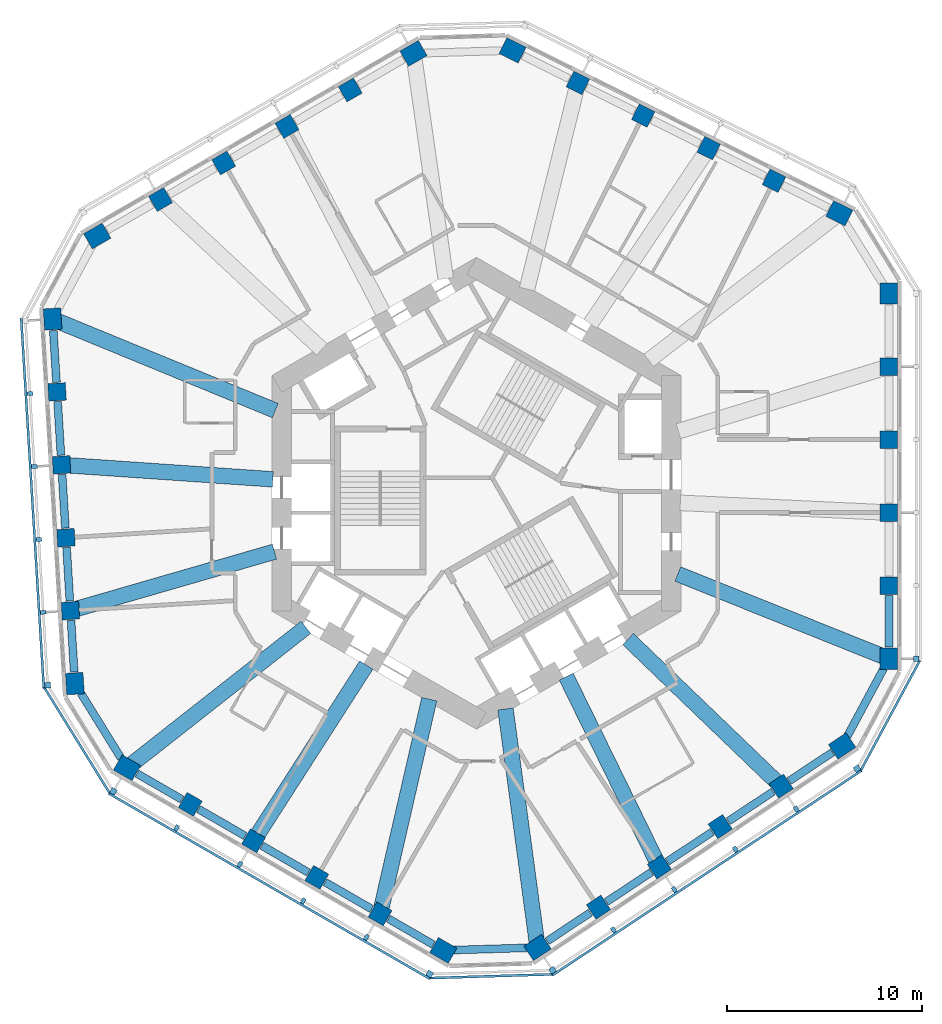
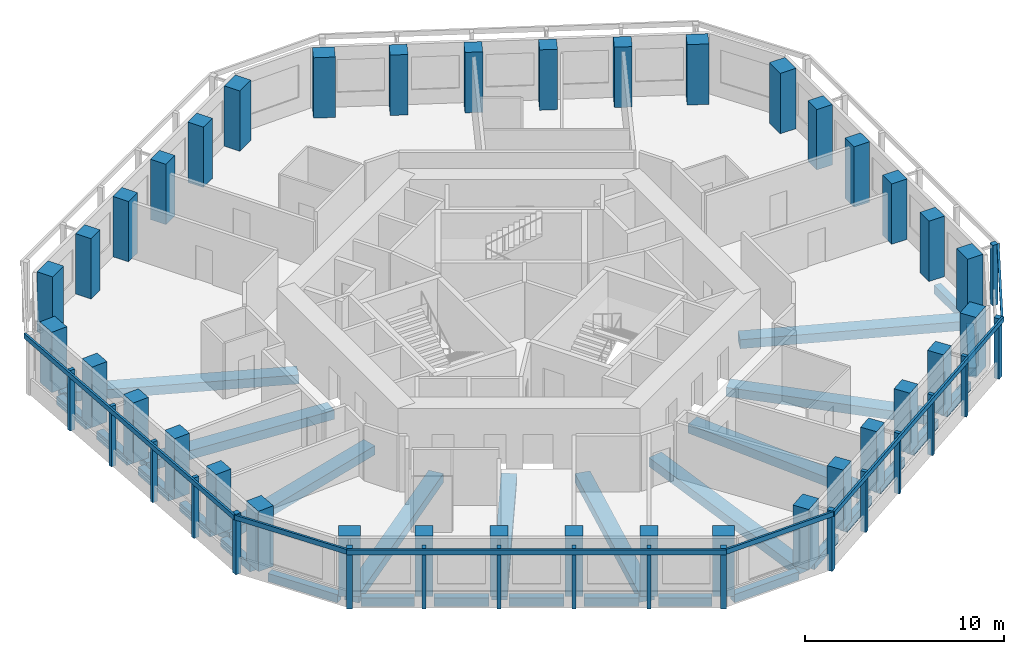
# One storey, part 1 of 11: 36 columns, 29 beams, 24 members, 7 elements without a shape of their own.
"""IFC4 building model written with IfcOpenShell, lengths in metres."""

import ifcopenshell
import ifcopenshell.guid

model = None  # the IFC model being written
_history = None  # IfcOwnerHistory: only IFC2X3 demands one
_inside = {}  # id of a spatial element -> (the spatial element, [elements in it])
_under = {}  # id of a project, library or spatial element -> (it, [spatial elements below it])
_declared = {}  # id of a project -> (the project, [libraries it declares])
_typed = {}  # id of a type object -> (the type object, [elements of that type])
_made_of = {}  # id of a material, layer set ... -> (it, [elements and type objects made of it])


def new_model(schema):
    """Start an empty IFC model of exactly this schema.

    Asked for "IFC4X3", IfcOpenShell would pick the latest addendum, in which some entities
    have other attributes; the version numbers below select the first issue.
    IFC2X3 requires an IfcOwnerHistory on every rooted entity: one is made here for all.
    """
    global model, _history
    if schema == "IFC4X3":
        model = ifcopenshell.file(schema_version=(4, 3, 0, 0))
    else:
        model = ifcopenshell.file(schema=schema)
    _inside.clear()
    _under.clear()
    _declared.clear()
    _typed.clear()
    _made_of.clear()
    _history = None
    if model.schema == "IFC2X3":
        org = make("IfcOrganization", Name="unknown")
        user = make(
            "IfcPersonAndOrganization",
            ThePerson=make("IfcPerson", FamilyName="unknown"),
            TheOrganization=org,
        )
        app = make(
            "IfcApplication",
            ApplicationDeveloper=org,
            Version="unknown",
            ApplicationFullName="unknown",
            ApplicationIdentifier="unknown",
        )
        _history = make(
            "IfcOwnerHistory",
            OwningUser=user,
            OwningApplication=app,
            ChangeAction="ADDED",
            CreationDate=0,
        )
    return model


def make(cls, **values):
    """One entity of the class cls with the attributes given. An attribute that is None is left unset."""
    return model.create_entity(
        cls, **{name: value for name, value in values.items() if value is not None}
    )


def rooted(cls, **values):
    """An entity with a GlobalId (a new one), such as an element, a storey or a relation."""
    return make(cls, GlobalId=ifcopenshell.guid.new(), OwnerHistory=_history, **values)


def si_unit(unit_type, name, prefix=None):
    """IfcSIUnit, for example si_unit("LENGTHUNIT", "METRE", prefix="MILLI")."""
    return make("IfcSIUnit", UnitType=unit_type, Prefix=prefix, Name=name)


def assignment(units):
    """IfcUnitAssignment: the units of a project."""
    return None if units is None else make("IfcUnitAssignment", Units=units)


def point(xyz):
    """IfcCartesianPoint."""
    return None if xyz is None else make("IfcCartesianPoint", Coordinates=xyz)


def direction(xyz):
    """IfcDirection."""
    return None if xyz is None else make("IfcDirection", DirectionRatios=xyz)


def frame(location, z_axis=None, x_axis=None):
    """IfcAxis2Placement3D, a coordinate frame: its origin and axes. An axis left out is left unset."""
    return make(
        "IfcAxis2Placement3D",
        Location=point(location),
        Axis=direction(z_axis),
        RefDirection=direction(x_axis),
    )


def frame_2d(location, x_axis=None):
    """IfcAxis2Placement2D, a coordinate frame in the plane: its origin and x axis."""
    return make(
        "IfcAxis2Placement2D", Location=point(location), RefDirection=direction(x_axis)
    )


def origin():
    """The frame at (0, 0, 0) with its axes left unset."""
    return frame((0.0, 0.0, 0.0))


def origin_2d():
    """The frame at (0, 0) in the plane with its x axis left unset."""
    return frame_2d((0.0, 0.0))


def place(relative_to, where):
    """IfcLocalPlacement: puts the frame where relative to a parent placement (None: the world)."""
    return make(
        "IfcLocalPlacement", PlacementRelTo=relative_to, RelativePlacement=where
    )


def context(
    kind, dimensions, precision=None, world=None, true_north=None, identifier=None
):
    """IfcGeometricRepresentationContext, for example the 3D "Model" context."""
    return make(
        "IfcGeometricRepresentationContext",
        ContextIdentifier=identifier,
        ContextType=kind,
        CoordinateSpaceDimension=dimensions,
        Precision=precision,
        WorldCoordinateSystem=world,
        TrueNorth=true_north,
    )


def subcontext(parent, identifier, kind, view, scale=None):
    """IfcGeometricRepresentationSubContext, for example "Body" below "Model"."""
    return make(
        "IfcGeometricRepresentationSubContext",
        ContextIdentifier=identifier,
        ContextType=kind,
        ParentContext=parent,
        TargetScale=scale,
        TargetView=view,
    )


def project(units=None, contexts=None):
    """IfcProject with its units and contexts."""
    return rooted(
        "IfcProject",
        Name="project",
        RepresentationContexts=contexts,
        UnitsInContext=assignment(units),
    )


def spatial(cls, under=None, at=None, **own):
    """A site, building, storey or space (cls), placed at a placement, below another one or the project."""
    s = rooted(cls, ObjectPlacement=at, **own)
    if under is not None:
        _under.setdefault(under.id(), (under, []))[1].append(s)
    return s


def profile(cls, at=None, kind="AREA", **sizes):
    """A parametric profile (cls). Its sizes go by their IFC names, for example OverallWidth=200.0."""
    return make(cls, ProfileType=kind, Position=at, **sizes)


def rectangle(**sizes):
    """IfcRectangleProfileDef."""
    return profile("IfcRectangleProfileDef", **sizes)


def extrude(swept, where, along, depth):
    """IfcExtrudedAreaSolid: the profile swept, set in the frame where, extruded along a direction by depth."""
    return make(
        "IfcExtrudedAreaSolid",
        SweptArea=swept,
        Position=where,
        ExtrudedDirection=direction(along),
        Depth=depth,
    )


def shape(context_of_items, identifier, shape_type, items):
    """IfcShapeRepresentation: the items that make up one representation, for example the "Body"."""
    return make(
        "IfcShapeRepresentation",
        ContextOfItems=context_of_items,
        RepresentationIdentifier=identifier,
        RepresentationType=shape_type,
        Items=items,
    )


def material(Name=None, Category=None):
    """IfcMaterial."""
    return make("IfcMaterial", Name=Name, Category=Category)


def material_profile(
    of_material, cross_section, Name=None, Category=None, Priority=None
):
    """IfcMaterialProfile: a cross section and its material."""
    return make(
        "IfcMaterialProfile",
        Name=Name,
        Material=of_material,
        Profile=cross_section,
        Priority=Priority,
        Category=Category,
    )


def profile_set(profiles, Name=None, composite=None):
    """IfcMaterialProfileSet."""
    return make(
        "IfcMaterialProfileSet",
        Name=Name,
        MaterialProfiles=profiles,
        CompositeProfile=composite,
    )


def made_of(thing, what):
    """Note that an element or type object is made of a material, layer set ...; save() writes the relation."""
    if what is not None:
        _made_of.setdefault(what.id(), (what, []))[1].append(thing)
    return thing


def type_object(cls, material=None, **own):
    """A type object (cls), such as IfcWallType, which elements share."""
    return made_of(rooted(cls, **own), material)


def element(
    cls,
    number,
    at=None,
    inside=None,
    cuts=None,
    type_object=None,
    material=None,
    context=None,
    identifier="Body",
    shape_type=None,
    held_by="IfcProductDefinitionShape",
    body=None,
    shapes=None,
    **own,
):
    """One element of the class cls, such as IfcWall. Its Tag is "e" and its number.

    at: its placement. inside: the storey or other place that contains it. cuts: it is an
    opening in that element (IfcRelVoidsElement). A single representation is given by context,
    identifier, shape_type and body (its items); several are given by shapes. held_by: the class
    of the entity that holds the representations. save() writes the other relations.
    """
    e = rooted(cls, Tag="e%d" % number, ObjectPlacement=at, **own)
    if body is not None:
        shapes = [shape(context, identifier, shape_type, body)]
    if shapes is not None:
        e.Representation = make(held_by, Representations=shapes)
    if inside is not None:
        _inside.setdefault(inside.id(), (inside, []))[1].append(e)
    if cuts is not None:
        rooted(
            "IfcRelVoidsElement", RelatingBuildingElement=cuts, RelatedOpeningElement=e
        )
    if type_object is not None:
        _typed.setdefault(type_object.id(), (type_object, []))[1].append(e)
    return made_of(e, material)


def aggregate(whole, parts):
    """IfcRelAggregates: a whole, such as a stair, and the parts it consists of."""
    return rooted("IfcRelAggregates", RelatingObject=whole, RelatedObjects=parts)


def save(model, path):
    """Write the relations noted so far, then the file.

    IfcRelAggregates (storeys below a building ...), IfcRelContainedInSpatialStructure (elements
    in a storey), IfcRelDefinesByType, IfcRelAssociatesMaterial and IfcRelDeclares: one each for
    every whole, place, type object, material and project.
    """
    for whole, parts in _under.values():
        aggregate(whole, parts)
    for where, things in _inside.values():
        rooted(
            "IfcRelContainedInSpatialStructure",
            RelatedElements=things,
            RelatingStructure=where,
        )
    for kind, things in _typed.values():
        rooted("IfcRelDefinesByType", RelatedObjects=things, RelatingType=kind)
    for what, things in _made_of.values():
        rooted("IfcRelAssociatesMaterial", RelatedObjects=things, RelatingMaterial=what)
    for by, libraries in _declared.values():
        rooted("IfcRelDeclares", RelatingContext=by, RelatedDefinitions=libraries)
    model.write(path)


model = new_model("IFC4")

# Units and contexts
model_context = context("Model", 3, precision=1e-05, world=origin(), true_north=direction((0.0, 1.0)))
body_context = subcontext(model_context, "Body", "Model", "MODEL_VIEW")
ifc_project = project(units=[si_unit("LENGTHUNIT", "METRE"), si_unit("AREAUNIT", "SQUARE_METRE"), si_unit("VOLUMEUNIT", "CUBIC_METRE"), si_unit("PLANEANGLEUNIT", "RADIAN"), si_unit("MASSUNIT", "GRAM", prefix="KILO")], contexts=[model_context])

# Site, building, storey
site_placement = place(None, origin())
site = spatial("IfcSite", under=ifc_project, at=site_placement, CompositionType="ELEMENT")
building_placement = place(site_placement, origin())
building = spatial("IfcBuilding", under=site, at=building_placement, Name="Vanh Sen Convention Tower", CompositionType="ELEMENT")
storey_placement = place(building_placement, frame((0.0, 0.0, 179.89990234375)))
storey = spatial("IfcBuildingStorey", under=building, at=storey_placement, Name="L44", CompositionType="ELEMENT", Elevation=179.89990234375)

# Columns
ifc_material_1 = material(Name="Concrete C80/95", Category="concrete")
ifc_material_profile_1 = material_profile(ifc_material_1, rectangle(XDim=0.89990234375, YDim=0.89990234375, at=origin_2d()), Name="RC 900X900")
ifc_profile_set_1 = profile_set([ifc_material_profile_1], Name="Concrete C80/95")
column_type_1 = type_object("IfcColumnType", Name="Facade column 900 x 900 C80/95", PredefinedType="COLUMN", material=ifc_profile_set_1)
for number, where, z_axis, x_axis, name in (
    (1, (21.199951171875, -4.746826171875, 0.0), (0.0, 0.0, 1.0), (0.0, 1.0, 0.0), "Facade column 02 L44"),
    (2, (21.199951171875, -0.992919921875, 0.0), (0.0, 0.0, 1.0), (0.0, 1.0, 0.0), "Facade column 03 L44"),
    (3, (21.199951171875, 2.76123046875, 0.0), (0.0, 0.0, 1.0), (0.0, 1.0, 0.0), "Facade column 04 L44"),
    (4, (21.199951171875, 6.515380859375, 0.0), (0.0, 0.0, 1.0), (0.0, 1.0, 0.0), "Facade column 05 L44"),
    (5, (15.290283203125, 16.0654296875, 0.0), (0.0, 0.0, 1.0), (-0.894934361602, 0.44619781311, 0.0), "Facade column 08 L44"),
    (6, (11.9306640625, 17.740478515625, 0.0), (0.0, 0.0, 1.0), (-0.894934361602, 0.44619781311, 0.0), "Facade column 09 L44"),
    (7, (8.57080078125, 19.41552734375, 0.0), (0.0, 0.0, 1.0), (-0.894934361602, 0.44619781311, 0.0), "Facade column 10 L44"),
    (8, (5.211181640625, 21.0908203125, 0.0), (0.0, 0.0, 1.0), (-0.894934361602, 0.44619781311, 0.0), "Facade column 11 L44"),
    (9, (-6.489013671875, 20.733154296875, 0.0), (0.0, 0.0, 1.0), (-0.866025403784, -0.5, 0.0), "Facade column 14 L44"),
    (10, (-9.740234375, 18.856201171875, 0.0), (0.0, 0.0, 1.0), (-0.866025403784, -0.5, 0.0), "Facade column 15 L44"),
    (11, (-12.991455078125, 16.97900390625, 0.0), (0.0, 0.0, 1.0), (-0.866025403784, -0.5, 0.0), "Facade column 16 L44"),
    (12, (-16.242431640625, 15.10205078125, 0.0), (0.0, 0.0, 1.0), (-0.866025403784, -0.5, 0.0), "Facade column 17 L44"),
    (13, (-21.55810546875, 5.208984375, 0.0), (0.0, 0.0, 1.0), (0.061048539535, -0.998134798422, 0.0), "Facade column 20 L44"),
    (14, (-21.3291015625, 1.4619140625, 0.0), (0.0, 0.0, 1.0), (0.061048539535, -0.998134798422, 0.0), "Facade column 21 L44"),
    (15, (-21.099853515625, -2.28515625, 0.0), (0.0, 0.0, 1.0), (0.061048539535, -0.998134798422, 0.0), "Facade column 22 L44"),
    (16, (-20.87060546875, -6.0322265625, 0.0), (0.0, 0.0, 1.0), (0.061048539535, -0.998134798422, 0.0), "Facade column 23 L44"),
    (17, (-14.7109375, -15.986328125, 0.0), (0.0, 0.0, 1.0), (0.866025403784, -0.5, 0.0), "Facade column 26 L44"),
    (18, (-11.459716796875, -17.86328125, 0.0), (0.0, 0.0, 1.0), (0.866025403784, -0.5, 0.0), "Facade column 27 L44"),
    (19, (-8.20849609375, -19.740478515625, 0.0), (0.0, 0.0, 1.0), (0.866025403784, -0.5, 0.0), "Facade column 28 L44"),
    (20, (-4.95751953125, -21.617431640625, 0.0), (0.0, 0.0, 1.0), (0.866025403784, -0.5, 0.0), "Facade column 29 L44"),
    (21, (6.267822265625, -21.2744140625, 0.0), (0.0, 0.0, 1.0), (0.833885822067, 0.551936985312, 0.0), "Facade column 32 L44"),
    (22, (9.3984375, -19.202392578125, 0.0), (0.0, 0.0, 1.0), (0.833885822067, 0.551936985312, 0.0), "Facade column 33 L44"),
    (23, (12.52880859375, -17.13037109375, 0.0), (0.0, 0.0, 1.0), (0.833885822067, 0.551936985312, 0.0), "Facade column 34 L44"),
    (24, (15.659423828125, -15.058349609375, 0.0), (0.0, 0.0, 1.0), (0.833885822067, 0.551936985312, 0.0), "Facade column 35 L44"),
):
    element("IfcColumn", number, at=place(storey_placement, frame(where, z_axis=z_axis, x_axis=x_axis)), inside=storey, type_object=column_type_1, Name=name, PredefinedType="COLUMN", context=body_context, shape_type="SweptSolid", body=[
        extrude(rectangle(XDim=0.89990234375, YDim=0.89990234375, at=origin_2d()), origin(), (0.0, 0.0, 1.0), 3.7001953125),
    ])
ifc_material_profile_2 = material_profile(ifc_material_1, rectangle(XDim=1.10009765625, YDim=0.89990234375, at=origin_2d()), Name="RC 1100X900")
ifc_profile_set_2 = profile_set([ifc_material_profile_2], Name="Concrete C80/95")
column_type_2 = type_object("IfcColumnType", Name="Facade corner column 1100 x 900 C80/95", PredefinedType="COLUMN", material=ifc_profile_set_2)
for number, where, z_axis, x_axis, name in (
    (25, (21.199951171875, -8.5009765625, 0.0), (0.0, 0.0, 1.0), (0.0, 1.0, 0.0), "Facade column 01 L44"),
    (26, (21.199951171875, 10.26953125, 0.0), (0.0, 0.0, 1.0), (0.0, 1.0, 0.0), "Facade column 06 L44"),
    (27, (18.64990234375, 14.390380859375, 0.0), (0.0, 0.0, 1.0), (-0.894934361602, 0.44619781311, 0.0), "Facade column 07 L44"),
    (28, (1.8515625, 22.765625, 0.0), (0.0, 0.0, 1.0), (-0.894934361602, 0.44619781311, 0.0), "Facade column 12 L44"),
    (29, (-3.23779296875, 22.610107421875, 0.0), (0.0, 0.0, 1.0), (-0.866025403784, -0.5, 0.0), "Facade column 13 L44"),
    (30, (-19.49365234375, 13.22509765625, 0.0), (0.0, 0.0, 1.0), (-0.866025403784, -0.5, 0.0), "Facade column 18 L44"),
    (31, (-21.787353515625, 8.956298828125, 0.0), (0.0, 0.0, 1.0), (0.061048539535, -0.998134798422, 0.0), "Facade column 19 L44"),
    (32, (-20.6416015625, -9.779296875, 0.0), (0.0, 0.0, 1.0), (0.061048539535, -0.998134798422, 0.0), "Facade column 24 L44"),
    (33, (-17.962158203125, -14.109130859375, 0.0), (0.0, 0.0, 1.0), (0.866025403784, -0.5, 0.0), "Facade column 25 L44"),
    (34, (-1.706298828125, -23.494384765625, 0.0), (0.0, 0.0, 1.0), (0.866025403784, -0.5, 0.0), "Facade column 30 L44"),
    (35, (3.137451171875, -23.346435546875, 0.0), (0.0, 0.0, 1.0), (0.833885822067, 0.551936985312, 0.0), "Facade column 31 L44"),
    (36, (18.789794921875, -12.986328125, 0.0), (0.0, 0.0, 1.0), (0.833885822067, 0.551936985312, 0.0), "Facade column 36 L44"),
):
    element("IfcColumn", number, at=place(storey_placement, frame(where, z_axis=z_axis, x_axis=x_axis)), inside=storey, type_object=column_type_2, Name=name, PredefinedType="COLUMN", context=body_context, shape_type="SweptSolid", body=[
        extrude(rectangle(XDim=1.10009765625, YDim=0.89990234375, at=origin_2d()), origin(), (0.0, 0.0, 1.0), 3.7001953125),
    ])

# Curtain wall, member
ifc_material_2 = material(Name="Concrete C50/60", Category="concrete")
curtain_wall_type = type_object("IfcCurtainWallType", Name="Outer skin office zone", PredefinedType="NOTDEFINED", material=ifc_material_2)
curtain_wall_1_placement = place(storey_placement, origin())
curtain_wall_1 = element("IfcCurtainWall", 37, at=curtain_wall_1_placement, inside=storey, type_object=curtain_wall_type, Name="OUTER SKIN E L44", PredefinedType="NOTDEFINED")
ifc_material_profile_3 = material_profile(ifc_material_2, rectangle(XDim=0.300048828125, YDim=0.300048828125, at=origin_2d()), Name="Outer skin precast corner fin 300 x 300")
ifc_profile_set_3 = profile_set([ifc_material_profile_3], Name="Concrete C50/60")
member_type_1 = type_object("IfcMemberType", Name="Outer skin precast corner fin 300 x 300", PredefinedType="MULLION", material=ifc_profile_set_3)
member_1_placement = place(storey_placement, frame((22.60009765625, -8.5009765625, 0.0), z_axis=(0.0, 0.0, 1.0), x_axis=(0.0, 1.0, 0.0)))
member_1 = element("IfcMember", 38, at=member_1_placement, type_object=member_type_1, Name="OUTER SKIN CORNER FIN 1 E L44", PredefinedType="MULLION", context=body_context, shape_type="SweptSolid", body=[
    extrude(rectangle(XDim=0.300048828125, YDim=0.300048828125, at=origin_2d()), origin(), (0.0, 0.0, 1.0), 3.7001953125),
])
aggregate(curtain_wall_1, [member_1])

curtain_wall_2_placement = place(storey_placement, origin())
curtain_wall_2 = element("IfcCurtainWall", 39, at=curtain_wall_2_placement, inside=storey, type_object=curtain_wall_type, Name="OUTER SKIN W L44", PredefinedType="NOTDEFINED")
member_2_placement = place(storey_placement, frame((-22.038818359375, -9.864990234375, 0.0), z_axis=(0.0, 0.0, 1.0), x_axis=(0.061048539535, -0.998134798422, 0.0)))
member_2 = element("IfcMember", 40, at=member_2_placement, type_object=member_type_1, Name="OUTER SKIN CORNER FIN 6 W L44", PredefinedType="MULLION", context=body_context, shape_type="SweptSolid", body=[
    extrude(rectangle(XDim=0.300048828125, YDim=0.300048828125, at=origin_2d()), origin(), (0.0, 0.0, 1.0), 3.7001953125),
])

# Curtain wall, members
curtain_wall_3_placement = place(storey_placement, origin())
curtain_wall_3 = element("IfcCurtainWall", 41, at=curtain_wall_3_placement, inside=storey, type_object=curtain_wall_type, Name="OUTER SKIN SW L44", PredefinedType="NOTDEFINED")
member_3_placement = place(storey_placement, frame((-18.662109375, -15.321533203125, 0.0), z_axis=(0.0, 0.0, 1.0), x_axis=(0.866025403784, -0.5, 0.0)))
member_3 = element("IfcMember", 42, at=member_3_placement, type_object=member_type_1, Name="OUTER SKIN CORNER FIN 1 SW L44", PredefinedType="MULLION", context=body_context, shape_type="SweptSolid", body=[
    extrude(rectangle(XDim=0.300048828125, YDim=0.300048828125, at=origin_2d()), origin(), (0.0, 0.0, 1.0), 3.7001953125),
])
member_4_placement = place(storey_placement, frame((-2.40625, -24.706787109375, 0.0), z_axis=(0.0, 0.0, 1.0), x_axis=(0.866025403784, -0.5, 0.0)))
member_4 = element("IfcMember", 43, at=member_4_placement, type_object=member_type_1, Name="OUTER SKIN CORNER FIN 6 SW L44", PredefinedType="MULLION", context=body_context, shape_type="SweptSolid", body=[
    extrude(rectangle(XDim=0.300048828125, YDim=0.300048828125, at=origin_2d()), origin(), (0.0, 0.0, 1.0), 3.7001953125),
])

curtain_wall_4_placement = place(storey_placement, origin())
curtain_wall_4 = element("IfcCurtainWall", 44, at=curtain_wall_4_placement, inside=storey, type_object=curtain_wall_type, Name="OUTER SKIN SE L44", PredefinedType="NOTDEFINED")
member_5_placement = place(storey_placement, frame((3.91015625, -24.513916015625, 0.0), z_axis=(0.0, 0.0, 1.0), x_axis=(0.833885822067, 0.551936985312, 0.0)))
member_5 = element("IfcMember", 45, at=member_5_placement, type_object=member_type_1, Name="OUTER SKIN CORNER FIN 1 SE L44", PredefinedType="MULLION", context=body_context, shape_type="SweptSolid", body=[
    extrude(rectangle(XDim=0.300048828125, YDim=0.300048828125, at=origin_2d()), origin(), (0.0, 0.0, 1.0), 3.7001953125),
])
member_6_placement = place(storey_placement, frame((19.5625, -14.15380859375, 0.0), z_axis=(0.0, 0.0, 1.0), x_axis=(0.833885822067, 0.551936985312, 0.0)))
member_6 = element("IfcMember", 46, at=member_6_placement, type_object=member_type_1, Name="OUTER SKIN CORNER FIN 6 SE L44", PredefinedType="MULLION", context=body_context, shape_type="SweptSolid", body=[
    extrude(rectangle(XDim=0.300048828125, YDim=0.300048828125, at=origin_2d()), origin(), (0.0, 0.0, 1.0), 3.7001953125),
])

# Member
ifc_material_profile_4 = material_profile(ifc_material_2, rectangle(XDim=0.199951171875, YDim=0.300048828125, at=origin_2d()), Name="Outer skin precast fin 200 x 300")
ifc_profile_set_4 = profile_set([ifc_material_profile_4], Name="Concrete C50/60")
member_type_2 = type_object("IfcMemberType", Name="Outer skin precast fin 200 x 300", PredefinedType="MULLION", material=ifc_profile_set_4)
member_7_placement = place(storey_placement, frame((-22.95556640625, 5.12353515625, 0.0), z_axis=(0.0, 0.0, 1.0), x_axis=(0.061048539535, -0.998134798422, 0.0)))
member_7 = element("IfcMember", 47, at=member_7_placement, type_object=member_type_2, Name="OUTER SKIN fin 2 W L44", PredefinedType="MULLION", context=body_context, shape_type="SweptSolid", body=[
    extrude(rectangle(XDim=0.199951171875, YDim=0.300048828125, at=origin_2d()), origin(), (0.0, 0.0, 1.0), 3.7001953125),
])

member_8_placement = place(storey_placement, frame((-22.726318359375, 1.37646484375, 0.0), z_axis=(0.0, 0.0, 1.0), x_axis=(0.061048539535, -0.998134798422, 0.0)))
member_8 = element("IfcMember", 48, at=member_8_placement, type_object=member_type_2, Name="OUTER SKIN fin 3 W L44", PredefinedType="MULLION", context=body_context, shape_type="SweptSolid", body=[
    extrude(rectangle(XDim=0.199951171875, YDim=0.300048828125, at=origin_2d()), origin(), (0.0, 0.0, 1.0), 3.7001953125),
])

member_9_placement = place(storey_placement, frame((-22.497314453125, -2.37060546875, 0.0), z_axis=(0.0, 0.0, 1.0), x_axis=(0.061048539535, -0.998134798422, 0.0)))
member_9 = element("IfcMember", 49, at=member_9_placement, type_object=member_type_2, Name="OUTER SKIN fin 4 W L44", PredefinedType="MULLION", context=body_context, shape_type="SweptSolid", body=[
    extrude(rectangle(XDim=0.199951171875, YDim=0.300048828125, at=origin_2d()), origin(), (0.0, 0.0, 1.0), 3.7001953125),
])

member_10_placement = place(storey_placement, frame((-22.26806640625, -6.117919921875, 0.0), z_axis=(0.0, 0.0, 1.0), x_axis=(0.061048539535, -0.998134798422, 0.0)))
member_10 = element("IfcMember", 50, at=member_10_placement, type_object=member_type_2, Name="OUTER SKIN fin 5 W L44", PredefinedType="MULLION", context=body_context, shape_type="SweptSolid", body=[
    extrude(rectangle(XDim=0.199951171875, YDim=0.300048828125, at=origin_2d()), origin(), (0.0, 0.0, 1.0), 3.7001953125),
])

member_11_placement = place(storey_placement, frame((-15.410888671875, -17.19873046875, 0.0), z_axis=(0.0, 0.0, 1.0), x_axis=(0.866025403784, -0.5, 0.0)))
member_11 = element("IfcMember", 51, at=member_11_placement, type_object=member_type_2, Name="OUTER SKIN fin 2 SW L44", PredefinedType="MULLION", context=body_context, shape_type="SweptSolid", body=[
    extrude(rectangle(XDim=0.199951171875, YDim=0.300048828125, at=origin_2d()), origin(), (0.0, 0.0, 1.0), 3.7001953125),
])

member_12_placement = place(storey_placement, frame((-12.159912109375, -19.07568359375, 0.0), z_axis=(0.0, 0.0, 1.0), x_axis=(0.866025403784, -0.5, 0.0)))
member_12 = element("IfcMember", 52, at=member_12_placement, type_object=member_type_2, Name="OUTER SKIN fin 3 SW L44", PredefinedType="MULLION", context=body_context, shape_type="SweptSolid", body=[
    extrude(rectangle(XDim=0.199951171875, YDim=0.300048828125, at=origin_2d()), origin(), (0.0, 0.0, 1.0), 3.7001953125),
])

member_13_placement = place(storey_placement, frame((-8.90869140625, -20.952880859375, 0.0), z_axis=(0.0, 0.0, 1.0), x_axis=(0.866025403784, -0.5, 0.0)))
member_13 = element("IfcMember", 53, at=member_13_placement, type_object=member_type_2, Name="OUTER SKIN fin 4 SW L44", PredefinedType="MULLION", context=body_context, shape_type="SweptSolid", body=[
    extrude(rectangle(XDim=0.199951171875, YDim=0.300048828125, at=origin_2d()), origin(), (0.0, 0.0, 1.0), 3.7001953125),
])

member_14_placement = place(storey_placement, frame((-5.657470703125, -22.829833984375, 0.0), z_axis=(0.0, 0.0, 1.0), x_axis=(0.866025403784, -0.5, 0.0)))
member_14 = element("IfcMember", 54, at=member_14_placement, type_object=member_type_2, Name="OUTER SKIN fin 5 SW L44", PredefinedType="MULLION", context=body_context, shape_type="SweptSolid", body=[
    extrude(rectangle(XDim=0.199951171875, YDim=0.300048828125, at=origin_2d()), origin(), (0.0, 0.0, 1.0), 3.7001953125),
])

member_15_placement = place(storey_placement, frame((7.04052734375, -22.44189453125, 0.0), z_axis=(0.0, 0.0, 1.0), x_axis=(0.833885822067, 0.551936985312, 0.0)))
member_15 = element("IfcMember", 55, at=member_15_placement, type_object=member_type_2, Name="OUTER SKIN fin 2 SE L44", PredefinedType="MULLION", context=body_context, shape_type="SweptSolid", body=[
    extrude(rectangle(XDim=0.199951171875, YDim=0.300048828125, at=origin_2d()), origin(), (0.0, 0.0, 1.0), 3.7001953125),
])

member_16_placement = place(storey_placement, frame((10.171142578125, -20.369873046875, 0.0), z_axis=(0.0, 0.0, 1.0), x_axis=(0.833885822067, 0.551936985312, 0.0)))
member_16 = element("IfcMember", 56, at=member_16_placement, type_object=member_type_2, Name="OUTER SKIN fin 3 SE L44", PredefinedType="MULLION", context=body_context, shape_type="SweptSolid", body=[
    extrude(rectangle(XDim=0.199951171875, YDim=0.300048828125, at=origin_2d()), origin(), (0.0, 0.0, 1.0), 3.7001953125),
])

member_17_placement = place(storey_placement, frame((13.301513671875, -18.2978515625, 0.0), z_axis=(0.0, 0.0, 1.0), x_axis=(0.833885822067, 0.551936985312, 0.0)))
member_17 = element("IfcMember", 57, at=member_17_placement, type_object=member_type_2, Name="OUTER SKIN fin 4 SE L44", PredefinedType="MULLION", context=body_context, shape_type="SweptSolid", body=[
    extrude(rectangle(XDim=0.199951171875, YDim=0.300048828125, at=origin_2d()), origin(), (0.0, 0.0, 1.0), 3.7001953125),
])

member_18_placement = place(storey_placement, frame((16.43212890625, -16.225830078125, 0.0), z_axis=(0.0, 0.0, 1.0), x_axis=(0.833885822067, 0.551936985312, 0.0)))
member_18 = element("IfcMember", 58, at=member_18_placement, type_object=member_type_2, Name="OUTER SKIN fin 5 SE L44", PredefinedType="MULLION", context=body_context, shape_type="SweptSolid", body=[
    extrude(rectangle(XDim=0.199951171875, YDim=0.300048828125, at=origin_2d()), origin(), (0.0, 0.0, 1.0), 3.7001953125),
])

ifc_material_profile_5 = material_profile(ifc_material_2, rectangle(XDim=0.1201171875, YDim=0.300048828125, at=origin_2d()), Name="Outer skin precast spandrel band 300 x 120")
ifc_profile_set_5 = profile_set([ifc_material_profile_5], Name="Concrete C50/60")
member_type_3 = type_object("IfcMemberType", Name="Outer skin precast spandrel band 300 x 120", PredefinedType="USERDEFINED", material=ifc_profile_set_5)
member_19_placement = place(storey_placement, frame((-23.403564453125, 9.007568359375, 3.550048828125), z_axis=(0.061052799403, -0.998134537868, 0.0), x_axis=(0.998134537868, 0.061052799403, 0.0)))
member_19 = element("IfcMember", 59, at=member_19_placement, type_object=member_type_3, Name="OUTER SKIN spandrel band W L44", ObjectType="TRANSOM", PredefinedType="USERDEFINED", context=body_context, shape_type="SweptSolid", body=[
    extrude(rectangle(XDim=0.1201171875, YDim=0.300048828125, at=origin_2d()), origin(), (0.0, 0.0, 1.0), 19.070556640625),
])

aggregate(curtain_wall_2, [member_7, member_8, member_9, member_10, member_2, member_19])

# Curtain wall, member
curtain_wall_5_placement = place(storey_placement, origin())
curtain_wall_5 = element("IfcCurtainWall", 60, at=curtain_wall_5_placement, inside=storey, type_object=curtain_wall_type, Name="OUTER SKIN CH4 L44", PredefinedType="NOTDEFINED")
member_20_placement = place(storey_placement, frame((-22.217529296875, -9.975341796875, 3.550048828125), z_axis=(0.526207913146, -0.85035594438, 0.0), x_axis=(0.85035594438, 0.526207913146, 0.0)))
member_20 = element("IfcMember", 61, at=member_20_placement, type_object=member_type_3, Name="OUTER SKIN spandrel band CH4 L44", ObjectType="TRANSOM", PredefinedType="USERDEFINED", context=body_context, shape_type="SweptSolid", body=[
    extrude(rectangle(XDim=0.1201171875, YDim=0.300048828125, at=origin_2d()), origin(), (0.0, 0.0, 1.0), 6.4169921875),
])
aggregate(curtain_wall_5, [member_20])

# Member
member_21_placement = place(storey_placement, frame((-18.89697265625, -15.428466796875, 3.550048828125), z_axis=(0.866023136587, -0.500003926881, 0.0), x_axis=(0.500003926881, 0.866023136587, 0.0)))
member_21 = element("IfcMember", 62, at=member_21_placement, type_object=member_type_3, Name="OUTER SKIN spandrel band SW L44", ObjectType="TRANSOM", PredefinedType="USERDEFINED", context=body_context, shape_type="SweptSolid", body=[
    extrude(rectangle(XDim=0.1201171875, YDim=0.300048828125, at=origin_2d()), origin(), (0.0, 0.0, 1.0), 19.070556640625),
])

aggregate(curtain_wall_3, [member_3, member_11, member_12, member_13, member_14, member_4, member_21])

# Curtain wall, member
curtain_wall_6_placement = place(storey_placement, origin())
curtain_wall_6 = element("IfcCurtainWall", 63, at=curtain_wall_6_placement, inside=storey, type_object=curtain_wall_type, Name="OUTER SKIN CH5 L44", PredefinedType="NOTDEFINED")
member_22_placement = place(storey_placement, frame((-2.39990234375, -24.916748046875, 3.550048828125), z_axis=(0.99953413443, 0.030520716071, 0.0), x_axis=(-0.030520716071, 0.99953413443, 0.0)))
member_22 = element("IfcMember", 64, at=member_22_placement, type_object=member_type_3, Name="OUTER SKIN spandrel band CH5 L44", ObjectType="TRANSOM", PredefinedType="USERDEFINED", context=body_context, shape_type="SweptSolid", body=[
    extrude(rectangle(XDim=0.1201171875, YDim=0.300048828125, at=origin_2d()), origin(), (0.0, 0.0, 1.0), 6.3193359375),
])
aggregate(curtain_wall_6, [member_22])

# Member
member_23_placement = place(storey_placement, frame((3.90087890625, -24.771728515625, 3.550048828125), z_axis=(0.833891134859, 0.551928958475, 0.0), x_axis=(-0.551928958475, 0.833891134859, 0.0)))
member_23 = element("IfcMember", 65, at=member_23_placement, type_object=member_type_3, Name="OUTER SKIN spandrel band SE L44", ObjectType="TRANSOM", PredefinedType="USERDEFINED", context=body_context, shape_type="SweptSolid", body=[
    extrude(rectangle(XDim=0.1201171875, YDim=0.300048828125, at=origin_2d()), origin(), (0.0, 0.0, 1.0), 19.070556640625),
])

aggregate(curtain_wall_4, [member_5, member_15, member_16, member_17, member_18, member_6, member_23])

# Curtain wall, member
curtain_wall_7_placement = place(storey_placement, origin())
curtain_wall_7 = element("IfcCurtainWall", 66, at=curtain_wall_7_placement, inside=storey, type_object=curtain_wall_type, Name="OUTER SKIN CH6 L44", PredefinedType="NOTDEFINED")
member_24_placement = place(storey_placement, frame((19.74755859375, -14.253173828125, 3.550048828125), z_axis=(0.473316922434, 0.880892213008, 0.0), x_axis=(-0.880892213008, 0.473316922434, 0.0)))
member_24 = element("IfcMember", 67, at=member_24_placement, type_object=member_type_3, Name="OUTER SKIN spandrel band CH6 L44", ObjectType="TRANSOM", PredefinedType="USERDEFINED", context=body_context, shape_type="SweptSolid", body=[
    extrude(rectangle(XDim=0.1201171875, YDim=0.300048828125, at=origin_2d()), origin(), (0.0, 0.0, 1.0), 6.417236328125),
])
aggregate(curtain_wall_7, [member_24])

# Beams
ifc_material_3 = material(Name="Concrete C50/60", Category="concrete")
ifc_material_profile_6 = material_profile(ifc_material_3, rectangle(XDim=0.800048828125, YDim=0.550048828125, at=origin_2d()), Name="RC 800X550")
ifc_profile_set_6 = profile_set([ifc_material_profile_6], Name="Concrete C50/60")
beam_type_1 = type_object("IfcBeamType", Name="Radial floor beam 800 x 550", PredefinedType="BEAM", material=ifc_profile_set_6)
beam_1_placement = place(storey_placement, frame((20.903564453125, -8.382080078125, -0.554931640625), z_axis=(-0.928156603648, 0.372189896565, 0.0), x_axis=(-0.372189896565, -0.928156603648, 0.0)))
element("IfcBeam", 68, at=beam_1_placement, inside=storey, type_object=beam_type_1, Name="Radial beam 01 L44", PredefinedType="BEAM", context=body_context, shape_type="SweptSolid", body=[
    extrude(rectangle(XDim=0.800048828125, YDim=0.550048828125, at=origin_2d()), origin(), (0.0, 0.0, 1.0), 11.374267578125),
])
beam_2_placement = place(storey_placement, frame((-21.5087890625, 8.841796875, -0.554931640625), z_axis=(0.924896155716, -0.38021980635, 0.0), x_axis=(0.38021980635, 0.924896155716, 0.0)))
element("IfcBeam", 69, at=beam_2_placement, inside=storey, type_object=beam_type_1, Name="Radial beam 10 L44", PredefinedType="BEAM", context=body_context, shape_type="SweptSolid", body=[
    extrude(rectangle(XDim=0.800048828125, YDim=0.550048828125, at=origin_2d()), origin(), (0.0, 0.0, 1.0), 12.072265625),
])
beam_3_placement = place(storey_placement, frame((-20.933349609375, 1.434814453125, -0.554931640625), z_axis=(0.997659543094, -0.068377160464, 0.0), x_axis=(0.068377160464, 0.997659543094, 0.0)))
element("IfcBeam", 70, at=beam_3_placement, inside=storey, type_object=beam_type_1, Name="Radial beam 11 L44", PredefinedType="BEAM", context=body_context, shape_type="SweptSolid", body=[
    extrude(rectangle(XDim=0.800048828125, YDim=0.550048828125, at=origin_2d()), origin(), (0.0, 0.0, 1.0), 10.490234375),
])
beam_4_placement = place(storey_placement, frame((-20.5185546875, -5.930419921875, -0.554931640625), z_axis=(0.960677561724, 0.277666386875, 0.0), x_axis=(-0.277666386875, 0.960677561724, 0.0)))
element("IfcBeam", 71, at=beam_4_placement, inside=storey, type_object=beam_type_1, Name="Radial beam 12 L44", PredefinedType="BEAM", context=body_context, shape_type="SweptSolid", body=[
    extrude(rectangle(XDim=0.800048828125, YDim=0.550048828125, at=origin_2d()), origin(), (0.0, 0.0, 1.0), 10.54931640625),
])
beam_5_placement = place(storey_placement, frame((-17.7109375, -13.911865234375, -0.554931640625), z_axis=(0.786403987122, 0.617712529449, 0.0), x_axis=(-0.617712529449, 0.786403987122, 0.0)))
element("IfcBeam", 72, at=beam_5_placement, inside=storey, type_object=beam_type_1, Name="Radial beam 13 L44", PredefinedType="BEAM", context=body_context, shape_type="SweptSolid", body=[
    extrude(rectangle(XDim=0.800048828125, YDim=0.550048828125, at=origin_2d()), origin(), (0.0, 0.0, 1.0), 11.3740234375),
])
beam_6_placement = place(storey_placement, frame((-11.2294921875, -17.504150390625, -0.554931640625), z_axis=(0.539967356894, 0.841685958947, 0.0), x_axis=(-0.841685958947, 0.539967356894, 0.0)))
element("IfcBeam", 73, at=beam_6_placement, inside=storey, type_object=beam_type_1, Name="Radial beam 14 L44", PredefinedType="BEAM", context=body_context, shape_type="SweptSolid", body=[
    extrude(rectangle(XDim=0.800048828125, YDim=0.550048828125, at=origin_2d()), origin(), (0.0, 0.0, 1.0), 10.308837890625),
])
beam_7_placement = place(storey_placement, frame((-4.880859375, -21.283203125, -0.554931640625), z_axis=(0.223527567815, 0.974697607685, 0.0), x_axis=(-0.974697607685, 0.223527567815, 0.0)))
element("IfcBeam", 74, at=beam_7_placement, inside=storey, type_object=beam_type_1, Name="Radial beam 15 L44", PredefinedType="BEAM", context=body_context, shape_type="SweptSolid", body=[
    extrude(rectangle(XDim=0.800048828125, YDim=0.550048828125, at=origin_2d()), origin(), (0.0, 0.0, 1.0), 10.97900390625),
])
beam_8_placement = place(storey_placement, frame((3.097412109375, -23.0478515625, -0.554931640625), z_axis=(-0.133194270132, 0.991089948695, 0.0), x_axis=(-0.991089948695, -0.133194270132, 0.0)))
element("IfcBeam", 75, at=beam_8_placement, inside=storey, type_object=beam_type_1, Name="Radial beam 16 L44", PredefinedType="BEAM", context=body_context, shape_type="SweptSolid", body=[
    extrude(rectangle(XDim=0.800048828125, YDim=0.550048828125, at=origin_2d()), origin(), (0.0, 0.0, 1.0), 12.072021484375),
])
beam_9_placement = place(storey_placement, frame((9.22412109375, -18.84619140625, -0.554931640625), z_axis=(-0.439610391955, 0.898188567777, 0.0), x_axis=(-0.898188567777, -0.439610391955, 0.0)))
element("IfcBeam", 76, at=beam_9_placement, inside=storey, type_object=beam_type_1, Name="Radial beam 17 L44", PredefinedType="BEAM", context=body_context, shape_type="SweptSolid", body=[
    extrude(rectangle(XDim=0.800048828125, YDim=0.550048828125, at=origin_2d()), origin(), (0.0, 0.0, 1.0), 10.490234375),
])
beam_10_placement = place(storey_placement, frame((15.395263671875, -14.80419921875, -0.554931640625), z_axis=(-0.720810828783, 0.693131841073, 0.0), x_axis=(-0.693131841073, -0.720810828783, 0.0)))
element("IfcBeam", 77, at=beam_10_placement, inside=storey, type_object=beam_type_1, Name="Radial beam 18 L44", PredefinedType="BEAM", context=body_context, shape_type="SweptSolid", body=[
    extrude(rectangle(XDim=0.800048828125, YDim=0.550048828125, at=origin_2d()), origin(), (0.0, 0.0, 1.0), 10.54931640625),
])
ifc_material_profile_7 = material_profile(ifc_material_3, rectangle(XDim=0.39990234375, YDim=0.5, at=origin_2d()), Name="RC 400X500")
ifc_profile_set_7 = profile_set([ifc_material_profile_7], Name="Concrete C50/60")
beam_type_2 = type_object("IfcBeamType", Name="Spandrel beam 400 x 500", PredefinedType="SPANDREL", material=ifc_profile_set_7)
for number, where, z_axis, x_axis, name in (
    (78, (21.199951171875, -7.906005859375, -0.52978515625), (0.0, 1.0, 0.0), (-1.0, 0.0, 0.0), "Spandrel beam 01 L44"),
    (79, (-21.751220703125, 8.3623046875, -0.52978515625), (0.061123105648, -0.998130234967, 0.0), (0.998130234967, 0.061123105648, 0.0), "Spandrel beam 19 L44"),
):
    element("IfcBeam", number, at=place(storey_placement, frame(where, z_axis=z_axis, x_axis=x_axis)), inside=storey, type_object=beam_type_2, Name=name, PredefinedType="SPANDREL", context=body_context, shape_type="SweptSolid", body=[
        extrude(rectangle(XDim=0.39990234375, YDim=0.5, at=origin_2d()), origin(), (0.0, 0.0, 1.0), 2.6640625),
    ])
beam_11_placement = place(storey_placement, frame((-21.528076171875, 4.715087890625, -0.52978515625), z_axis=(0.061119042102, -0.998130483801, 0.0), x_axis=(0.998130483801, 0.061119042102, 0.0)))
element("IfcBeam", 80, at=beam_11_placement, inside=storey, type_object=beam_type_2, Name="Spandrel beam 20 L44", PredefinedType="SPANDREL", context=body_context, shape_type="SweptSolid", body=[
    extrude(rectangle(XDim=0.39990234375, YDim=0.5, at=origin_2d()), origin(), (0.0, 0.0, 1.0), 2.76416015625),
])
for number, where, z_axis, x_axis, name in (
    (81, (-21.298828125, 0.9677734375, -0.52978515625), (0.061124430659, -0.998130153826, 0.0), (0.998130153826, 0.061124430659, 0.0), "Spandrel beam 21 L44"),
    (82, (-21.069580078125, -2.779296875, -0.52978515625), (0.061036429863, -0.998135539007, 0.0), (0.998135539007, 0.061036429863, 0.0), "Spandrel beam 22 L44"),
):
    element("IfcBeam", number, at=place(storey_placement, frame(where, z_axis=z_axis, x_axis=x_axis)), inside=storey, type_object=beam_type_2, Name=name, PredefinedType="SPANDREL", context=body_context, shape_type="SweptSolid", body=[
        extrude(rectangle(XDim=0.39990234375, YDim=0.5, at=origin_2d()), origin(), (0.0, 0.0, 1.0), 2.763916015625),
    ])
beam_12_placement = place(storey_placement, frame((-20.840576171875, -6.5263671875, -0.52978515625), z_axis=(0.061123105648, -0.998130234967, 0.0), x_axis=(0.998130234967, 0.061123105648, 0.0)))
element("IfcBeam", 83, at=beam_12_placement, inside=storey, type_object=beam_type_2, Name="Spandrel beam 23 L44", PredefinedType="SPANDREL", context=body_context, shape_type="SweptSolid", body=[
    extrude(rectangle(XDim=0.39990234375, YDim=0.5, at=origin_2d()), origin(), (0.0, 0.0, 1.0), 2.6640625),
])
beam_13_placement = place(storey_placement, frame((-20.34228515625, -10.262939453125, -0.52978515625), z_axis=(0.526231340979, -0.85034144658, 0.0), x_axis=(0.85034144658, 0.526231340979, 0.0)))
element("IfcBeam", 84, at=beam_13_placement, inside=storey, type_object=beam_type_2, Name="Spandrel beam 24 L44", PredefinedType="SPANDREL", context=body_context, shape_type="SweptSolid", body=[
    extrude(rectangle(XDim=0.39990234375, YDim=0.5, at=origin_2d()), origin(), (0.0, 0.0, 1.0), 3.95458984375),
])
beam_14_placement = place(storey_placement, frame((-17.44677734375, -14.40673828125, -0.52978515625), z_axis=(0.866023818221, -0.500002746266, 0.0), x_axis=(0.500002746266, 0.866023818221, 0.0)))
element("IfcBeam", 85, at=beam_14_placement, inside=storey, type_object=beam_type_2, Name="Spandrel beam 25 L44", PredefinedType="SPANDREL", context=body_context, shape_type="SweptSolid", body=[
    extrude(rectangle(XDim=0.39990234375, YDim=0.5, at=origin_2d()), origin(), (0.0, 0.0, 1.0), 2.6640625),
])
beam_15_placement = place(storey_placement, frame((-14.2822265625, -16.23388671875, -0.52978515625), z_axis=(0.866060565847, -0.499939092575, 0.0), x_axis=(0.499939092575, 0.866060565847, 0.0)))
element("IfcBeam", 86, at=beam_15_placement, inside=storey, type_object=beam_type_2, Name="Spandrel beam 26 L44", PredefinedType="SPANDREL", context=body_context, shape_type="SweptSolid", body=[
    extrude(rectangle(XDim=0.39990234375, YDim=0.5, at=origin_2d()), origin(), (0.0, 0.0, 1.0), 2.763916015625),
])
for number, where, z_axis, x_axis, name in (
    (87, (-11.031005859375, -18.11083984375, -0.52978515625), (0.866022320763, -0.500005339912, 0.0), (0.500005339912, 0.866022320763, 0.0), "Spandrel beam 27 L44"),
    (88, (-7.77978515625, -19.98779296875, -0.52978515625), (0.865961984968, -0.500109828528, 0.0), (0.500109828528, 0.865961984968, 0.0), "Spandrel beam 28 L44"),
):
    element("IfcBeam", number, at=place(storey_placement, frame(where, z_axis=z_axis, x_axis=x_axis)), inside=storey, type_object=beam_type_2, Name=name, PredefinedType="SPANDREL", context=body_context, shape_type="SweptSolid", body=[
        extrude(rectangle(XDim=0.39990234375, YDim=0.5, at=origin_2d()), origin(), (0.0, 0.0, 1.0), 2.76416015625),
    ])
beam_16_placement = place(storey_placement, frame((-4.52880859375, -21.864990234375, -0.52978515625), z_axis=(0.866023818221, -0.500002746266, 0.0), x_axis=(0.500002746266, 0.866023818221, 0.0)))
element("IfcBeam", 89, at=beam_16_placement, inside=storey, type_object=beam_type_2, Name="Spandrel beam 29 L44", PredefinedType="SPANDREL", context=body_context, shape_type="SweptSolid", body=[
    extrude(rectangle(XDim=0.39990234375, YDim=0.5, at=origin_2d()), origin(), (0.0, 0.0, 1.0), 2.6640625),
])
beam_17_placement = place(storey_placement, frame((-1.1796875, -23.478515625, -0.52978515625), z_axis=(0.99953227646, 0.030581502822, 0.0), x_axis=(-0.030581502822, 0.99953227646, 0.0)))
element("IfcBeam", 90, at=beam_17_placement, inside=storey, type_object=beam_type_2, Name="Spandrel beam 30 L44", PredefinedType="SPANDREL", context=body_context, shape_type="SweptSolid", body=[
    extrude(rectangle(XDim=0.39990234375, YDim=0.5, at=origin_2d()), origin(), (0.0, 0.0, 1.0), 3.7919921875),
])
beam_18_placement = place(storey_placement, frame((3.633544921875, -23.01806640625, -0.52978515625), z_axis=(0.833864593577, 0.551969056722, 0.0), x_axis=(-0.551969056722, 0.833864593577, 0.0)))
element("IfcBeam", 91, at=beam_18_placement, inside=storey, type_object=beam_type_2, Name="Spandrel beam 31 L44", PredefinedType="SPANDREL", context=body_context, shape_type="SweptSolid", body=[
    extrude(rectangle(XDim=0.39990234375, YDim=0.5, at=origin_2d()), origin(), (0.0, 0.0, 1.0), 2.6640625),
])
for number, where, z_axis, x_axis, name in (
    (92, (6.6806640625, -21.001220703125, -0.52978515625), (0.833880195108, 0.551945486625, 0.0), (-0.551945486625, 0.833880195108, 0.0), "Spandrel beam 32 L44"),
    (93, (9.811279296875, -18.92919921875, -0.52978515625), (0.833880195108, 0.551945486625, 0.0), (-0.551945486625, 0.833880195108, 0.0), "Spandrel beam 33 L44"),
    (94, (12.941650390625, -16.857177734375, -0.52978515625), (0.833880195108, 0.551945486625, 0.0), (-0.551945486625, 0.833880195108, 0.0), "Spandrel beam 34 L44"),
):
    element("IfcBeam", number, at=place(storey_placement, frame(where, z_axis=z_axis, x_axis=x_axis)), inside=storey, type_object=beam_type_2, Name=name, PredefinedType="SPANDREL", context=body_context, shape_type="SweptSolid", body=[
        extrude(rectangle(XDim=0.39990234375, YDim=0.5, at=origin_2d()), origin(), (0.0, 0.0, 1.0), 2.76416015625),
    ])
beam_19_placement = place(storey_placement, frame((16.072265625, -14.78515625, -0.52978515625), z_axis=(0.833864593577, 0.551969056722, 0.0), x_axis=(-0.551969056722, 0.833864593577, 0.0)))
element("IfcBeam", 95, at=beam_19_placement, inside=storey, type_object=beam_type_2, Name="Spandrel beam 35 L44", PredefinedType="SPANDREL", context=body_context, shape_type="SweptSolid", body=[
    extrude(rectangle(XDim=0.39990234375, YDim=0.5, at=origin_2d()), origin(), (0.0, 0.0, 1.0), 2.6640625),
])
beam_20_placement = place(storey_placement, frame((19.05908203125, -12.485595703125, -0.52978515625), z_axis=(0.473319175509, 0.880891002392, 0.0), x_axis=(-0.880891002392, 0.473319175509, 0.0)))
element("IfcBeam", 96, at=beam_20_placement, inside=storey, type_object=beam_type_2, Name="Spandrel beam 36 L44", PredefinedType="SPANDREL", context=body_context, shape_type="SweptSolid", body=[
    extrude(rectangle(XDim=0.39990234375, YDim=0.5, at=origin_2d()), origin(), (0.0, 0.0, 1.0), 3.95458984375),
])

save(model, "model.ifc")
